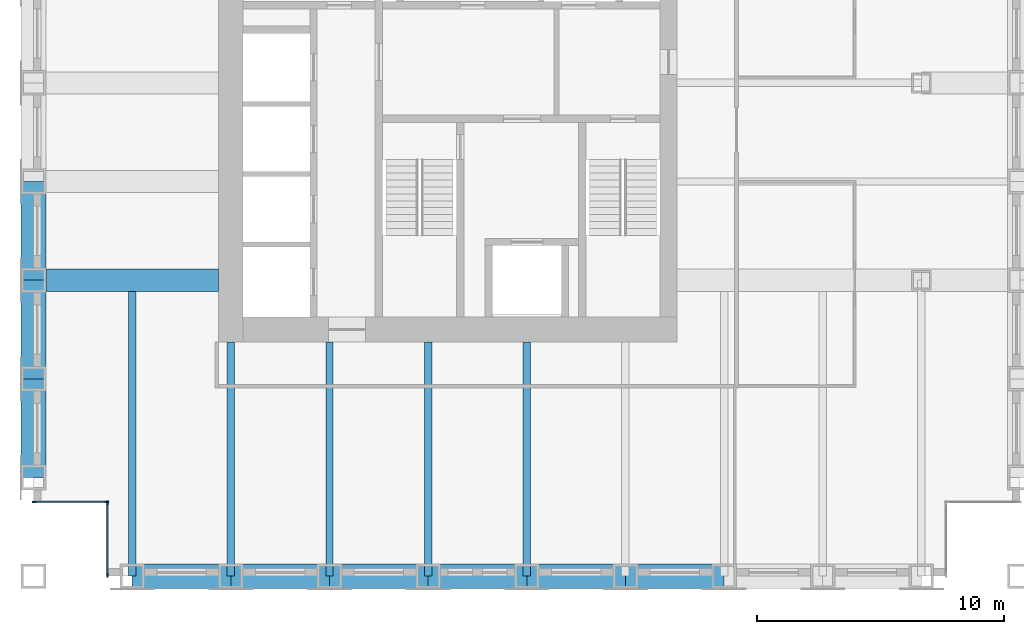
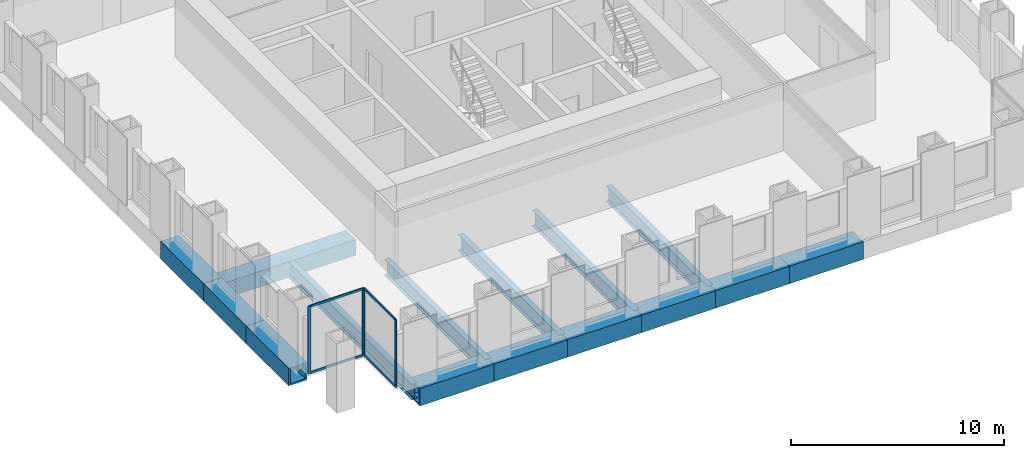
# One storey, part 2 of 13: 15 beams, 8 members, 2 elements without a shape of their own.
"""IFC4 building model written with IfcOpenShell, lengths in metres."""

from ifc_helpers import new_model, si_unit, direction, frame, origin, origin_2d, place, context, subcontext, project, spatial, rectangle, hollow_rectangle, i_section, extrude, material, material_profile, profile_set, type_object, element, aggregate, save


model = new_model("IFC4")

# Units and contexts
model_context = context("Model", 3, precision=1e-05, world=origin(), true_north=direction((0.0, 1.0)))
body_context = subcontext(model_context, "Body", "Model", "MODEL_VIEW")
ifc_project = project(units=[si_unit("LENGTHUNIT", "METRE"), si_unit("AREAUNIT", "SQUARE_METRE"), si_unit("VOLUMEUNIT", "CUBIC_METRE"), si_unit("PLANEANGLEUNIT", "RADIAN"), si_unit("MASSUNIT", "GRAM", prefix="KILO")], contexts=[model_context])

# Site, building, storey
site_placement = place(None, origin())
site = spatial("IfcSite", under=ifc_project, at=site_placement, CompositionType="ELEMENT")
building_placement = place(site_placement, origin())
building = spatial("IfcBuilding", under=site, at=building_placement, Name="Rimbunsela Tower", CompositionType="ELEMENT")
storey_placement = place(building_placement, frame((0.0, 0.0, 218.199951171875)))
storey = spatial("IfcBuildingStorey", under=building, at=storey_placement, Name="L52", CompositionType="ELEMENT", Elevation=218.199951171875)

# Beams
ifc_material_1 = material(Name="Steel BJ 55 (fy 410 MPa)", Category="steel")
ifc_material_profile_1 = material_profile(ifc_material_1, hollow_rectangle(XDim=1.0, YDim=1.0, WallThickness=0.10009765625, at=origin_2d()), Name="BOX 1000x1000x100")
ifc_profile_set_1 = profile_set([ifc_material_profile_1], Name="Steel BJ 55 (fy 410 MPa)")
beam_type_1 = type_object("IfcBeamType", Name="Beam BOX 1000x1000x100", PredefinedType="BEAM", material=ifc_profile_set_1)
for number, where, z_axis, x_axis, name in (
    (1, (10.0, 12.0, -0.64990234375), (0.0, 1.0, 0.0), (-1.0, 0.0, 0.0), "Beam B3 L52"),
    (2, (10.0, 16.0, -0.64990234375), (0.0, 1.0, 0.0), (-1.0, 0.0, 0.0), "Beam B3 L52"),
    (3, (10.0, 20.0, -0.64990234375), (0.0, 1.0, 0.0), (-1.0, 0.0, 0.0), "Beam B3 L52"),
    (4, (14.0, 8.0, -0.64990234375), (1.0, 0.0, 0.0), (0.0, 1.0, 0.0), "Beam B3 L52"),
    (5, (18.0, 8.0, -0.64990234375), (1.0, 0.0, 0.0), (0.0, 1.0, 0.0), "Beam B3 L52"),
    (6, (22.0, 8.0, -0.64990234375), (1.0, 0.0, 0.0), (0.0, 1.0, 0.0), "Beam B3 L52"),
    (7, (26.0, 8.0, -0.64990234375), (1.0, 0.0, 0.0), (0.0, 1.0, 0.0), "Beam B3 L52"),
    (8, (30.0, 8.0, -0.64990234375), (1.0, 0.0, 0.0), (0.0, 1.0, 0.0), "Beam B3 L52"),
    (9, (34.0, 8.0, -0.64990234375), (1.0, 0.0, 0.0), (0.0, 1.0, 0.0), "Beam B3 L52"),
):
    element("IfcBeam", number, at=place(storey_placement, frame(where, z_axis=z_axis, x_axis=x_axis)), inside=storey, type_object=beam_type_1, Name=name, PredefinedType="BEAM", context=body_context, shape_type="SweptSolid", body=[
        extrude(hollow_rectangle(XDim=1.0, YDim=1.0, WallThickness=0.10009765625, at=origin_2d()), origin(), (0.0, 0.0, 1.0), 4.0),
    ])
ifc_material_2 = material(Name="Steel BJ 55 (fy 410 MPa)", Category="steel")
ifc_material_profile_2 = material_profile(ifc_material_2, hollow_rectangle(XDim=0.89990234375, YDim=0.89990234375, WallThickness=0.06005859375, at=origin_2d()), Name="BOX 900x900x60")
ifc_profile_set_2 = profile_set([ifc_material_profile_2], Name="Steel BJ 55 (fy 410 MPa)")
beam_type_2 = type_object("IfcBeamType", Name="Beam BOX 900x900x60", PredefinedType="BEAM", material=ifc_profile_set_2)
beam_1_placement = place(storey_placement, frame((10.0, 20.0, -0.599853515625), z_axis=(1.0, 0.0, 0.0), x_axis=(0.0, 1.0, 0.0)))
element("IfcBeam", 10, at=beam_1_placement, inside=storey, type_object=beam_type_2, Name="Beam B1 L52", PredefinedType="BEAM", context=body_context, shape_type="SweptSolid", body=[
    extrude(hollow_rectangle(XDim=0.89990234375, YDim=0.89990234375, WallThickness=0.06005859375, at=origin_2d()), origin(), (0.0, 0.0, 1.0), 7.5),
])
ifc_material_3 = material(Name="Steel BJ 55 (fy 410 MPa)", Category="steel")
ifc_material_profile_3 = material_profile(ifc_material_3, i_section(OverallWidth=0.300048828125, OverallDepth=0.89990234375, WebThickness=0.01611328125, FlangeThickness=0.028076171875, FilletRadius=0.028076171875, at=origin_2d()), Name="H 900x300x16x28")
ifc_profile_set_3 = profile_set([ifc_material_profile_3], Name="Steel BJ 55 (fy 410 MPa)")
beam_type_3 = type_object("IfcBeamType", Name="Beam H 900x300x16x28", PredefinedType="BEAM", material=ifc_profile_set_3)
beam_2_placement = place(storey_placement, frame((14.0, 8.0, -0.599853515625), z_axis=(0.0, 1.0, 0.0), x_axis=(-1.0, 0.0, 0.0)))
element("IfcBeam", 11, at=beam_2_placement, inside=storey, type_object=beam_type_3, Name="Beam B2 L52", PredefinedType="BEAM", context=body_context, shape_type="SweptSolid", body=[
    extrude(i_section(OverallWidth=0.300048828125, OverallDepth=0.89990234375, WebThickness=0.01611328125, FlangeThickness=0.028076171875, FilletRadius=0.028076171875, at=origin_2d()), origin(), (0.0, 0.0, 1.0), 11.550048828125),
])
for number, where, z_axis, x_axis, name in (
    (12, (18.0, 8.0, -0.599853515625), (0.0, 1.0, 0.0), (-1.0, 0.0, 0.0), "Beam B2 L52"),
    (13, (22.0, 8.0, -0.599853515625), (0.0, 1.0, 0.0), (-1.0, 0.0, 0.0), "Beam B2 L52"),
    (14, (26.0, 8.0, -0.599853515625), (0.0, 1.0, 0.0), (-1.0, 0.0, 0.0), "Beam B2 L52"),
    (15, (30.0, 8.0, -0.599853515625), (0.0, 1.0, 0.0), (-1.0, 0.0, 0.0), "Beam B2 L52"),
):
    element("IfcBeam", number, at=place(storey_placement, frame(where, z_axis=z_axis, x_axis=x_axis)), inside=storey, type_object=beam_type_3, Name=name, PredefinedType="BEAM", context=body_context, shape_type="SweptSolid", body=[
        extrude(i_section(OverallWidth=0.300048828125, OverallDepth=0.89990234375, WebThickness=0.01611328125, FlangeThickness=0.028076171875, FilletRadius=0.028076171875, at=origin_2d()), origin(), (0.0, 0.0, 1.0), 9.5),
    ])

# Curtain wall, members
ifc_material_4 = material(Name="Aluminium curtain wall", Category="aluminium")
curtain_wall_type = type_object("IfcCurtainWallType", Name="Corner glazing", PredefinedType="USERDEFINED", material=ifc_material_4)
curtain_wall_1_placement = place(storey_placement, origin())
curtain_wall_1 = element("IfcCurtainWall", 16, at=curtain_wall_1_placement, inside=storey, type_object=curtain_wall_type, Name="Corner glazing L52", ObjectType="CORNER GLAZING", PredefinedType="USERDEFINED")
ifc_material_5 = material(Name="Aluminium mullion", Category="aluminium")
ifc_material_profile_4 = material_profile(ifc_material_5, rectangle(XDim=0.06005859375, YDim=0.159912109375, at=origin_2d()), Name="Mullion 60x160")
ifc_profile_set_4 = profile_set([ifc_material_profile_4], Name="Aluminium mullion")
member_type_1 = type_object("IfcMemberType", Name="Curtain wall mullion 60x160", PredefinedType="MULLION", material=ifc_profile_set_4)
member_1_placement = place(storey_placement, frame((10.030029296875, 11.0, 0.0), z_axis=(0.0, 0.0, 1.0), x_axis=(0.0, 1.0, 0.0)))
member_1 = element("IfcMember", 17, at=member_1_placement, type_object=member_type_1, Name="CW5 mullion 1", PredefinedType="MULLION", context=body_context, shape_type="SweptSolid", body=[
    extrude(rectangle(XDim=0.06005859375, YDim=0.159912109375, at=origin_2d()), origin(), (0.0, 0.0, 1.0), 3.85009765625),
])
member_2_placement = place(storey_placement, frame((12.969970703125, 11.0, 0.0), z_axis=(0.0, 0.0, 1.0), x_axis=(0.0, 1.0, 0.0)))
member_2 = element("IfcMember", 18, at=member_2_placement, type_object=member_type_1, Name="CW5 mullion 2", PredefinedType="MULLION", context=body_context, shape_type="SweptSolid", body=[
    extrude(rectangle(XDim=0.06005859375, YDim=0.159912109375, at=origin_2d()), origin(), (0.0, 0.0, 1.0), 3.85009765625),
])

curtain_wall_2_placement = place(storey_placement, origin())
curtain_wall_2 = element("IfcCurtainWall", 19, at=curtain_wall_2_placement, inside=storey, type_object=curtain_wall_type, Name="Corner glazing L52", ObjectType="CORNER GLAZING", PredefinedType="USERDEFINED")
member_3_placement = place(storey_placement, frame((13.0, 10.969970703125, 0.0), z_axis=(0.0, 0.0, 1.0), x_axis=(1.0, 0.0, 0.0)))
member_3 = element("IfcMember", 20, at=member_3_placement, type_object=member_type_1, Name="CW5 mullion 1", PredefinedType="MULLION", context=body_context, shape_type="SweptSolid", body=[
    extrude(rectangle(XDim=0.06005859375, YDim=0.159912109375, at=origin_2d()), origin(), (0.0, 0.0, 1.0), 3.85009765625),
])
member_4_placement = place(storey_placement, frame((13.0, 8.030029296875, 0.0), z_axis=(0.0, 0.0, 1.0), x_axis=(1.0, 0.0, 0.0)))
member_4 = element("IfcMember", 21, at=member_4_placement, type_object=member_type_1, Name="CW5 mullion 2", PredefinedType="MULLION", context=body_context, shape_type="SweptSolid", body=[
    extrude(rectangle(XDim=0.06005859375, YDim=0.159912109375, at=origin_2d()), origin(), (0.0, 0.0, 1.0), 3.85009765625),
])

# Member
ifc_material_6 = material(Name="Aluminium transom", Category="aluminium")
ifc_material_profile_5 = material_profile(ifc_material_6, rectangle(XDim=0.06005859375, YDim=0.1201171875, at=origin_2d()), Name="Transom 60x120")
ifc_profile_set_5 = profile_set([ifc_material_profile_5], Name="Aluminium transom")
member_type_2 = type_object("IfcMemberType", Name="Curtain wall transom 60x120", PredefinedType="USERDEFINED", material=ifc_profile_set_5)
member_5_placement = place(storey_placement, frame((10.06005859375, 11.0, 0.030029296875), z_axis=(1.0, 0.0, 0.0), x_axis=(0.0, 1.0, 0.0)))
member_5 = element("IfcMember", 22, at=member_5_placement, type_object=member_type_2, Name="CW5 transom 1.1", ObjectType="TRANSOM", PredefinedType="USERDEFINED", context=body_context, shape_type="SweptSolid", body=[
    extrude(rectangle(XDim=0.06005859375, YDim=0.1201171875, at=origin_2d()), origin(), (0.0, 0.0, 1.0), 2.8798828125),
])

member_6_placement = place(storey_placement, frame((10.06005859375, 11.0, 3.820068359375), z_axis=(1.0, 0.0, 0.0), x_axis=(0.0, 1.0, 0.0)))
member_6 = element("IfcMember", 23, at=member_6_placement, type_object=member_type_2, Name="CW5 transom 1.2", ObjectType="TRANSOM", PredefinedType="USERDEFINED", context=body_context, shape_type="SweptSolid", body=[
    extrude(rectangle(XDim=0.06005859375, YDim=0.1201171875, at=origin_2d()), origin(), (0.0, 0.0, 1.0), 2.8798828125),
])

aggregate(curtain_wall_1, [member_1, member_2, member_5, member_6])

member_7_placement = place(storey_placement, frame((13.0, 10.93994140625, 0.030029296875), z_axis=(0.0, -1.0, 0.0), x_axis=(1.0, 0.0, 0.0)))
member_7 = element("IfcMember", 24, at=member_7_placement, type_object=member_type_2, Name="CW5 transom 1.1", ObjectType="TRANSOM", PredefinedType="USERDEFINED", context=body_context, shape_type="SweptSolid", body=[
    extrude(rectangle(XDim=0.06005859375, YDim=0.1201171875, at=origin_2d()), origin(), (0.0, 0.0, 1.0), 2.8798828125),
])

member_8_placement = place(storey_placement, frame((13.0, 10.93994140625, 3.820068359375), z_axis=(0.0, -1.0, 0.0), x_axis=(1.0, 0.0, 0.0)))
member_8 = element("IfcMember", 25, at=member_8_placement, type_object=member_type_2, Name="CW5 transom 1.2", ObjectType="TRANSOM", PredefinedType="USERDEFINED", context=body_context, shape_type="SweptSolid", body=[
    extrude(rectangle(XDim=0.06005859375, YDim=0.1201171875, at=origin_2d()), origin(), (0.0, 0.0, 1.0), 2.8798828125),
])

aggregate(curtain_wall_2, [member_3, member_4, member_7, member_8])

save(model, "model.ifc")
